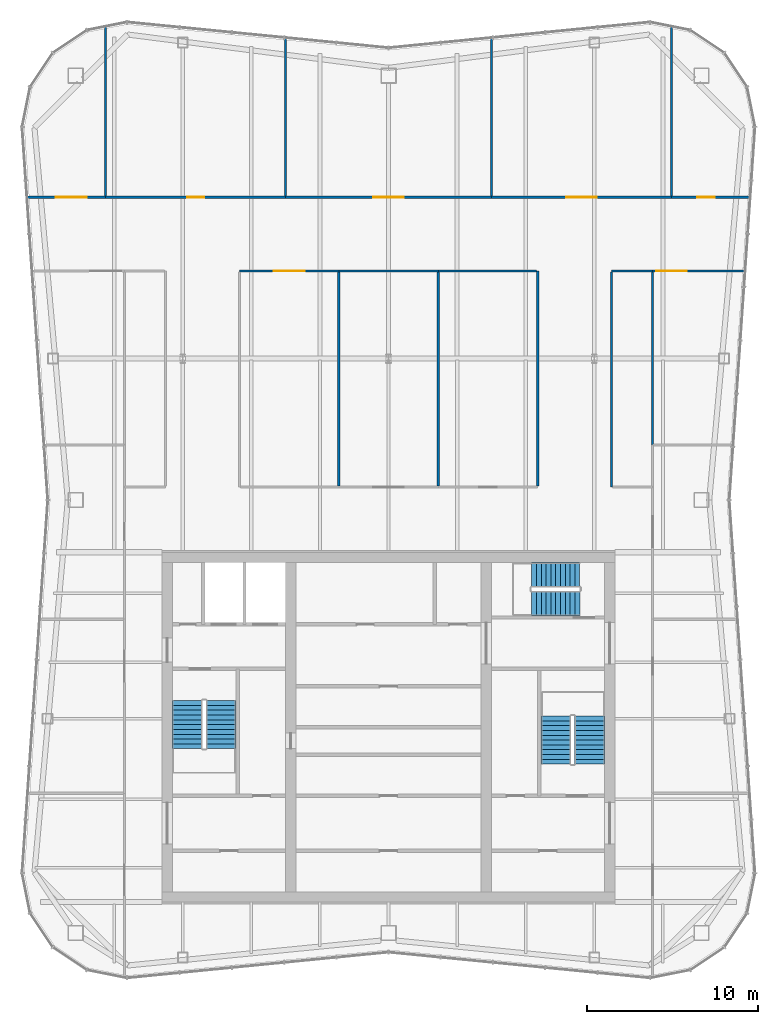
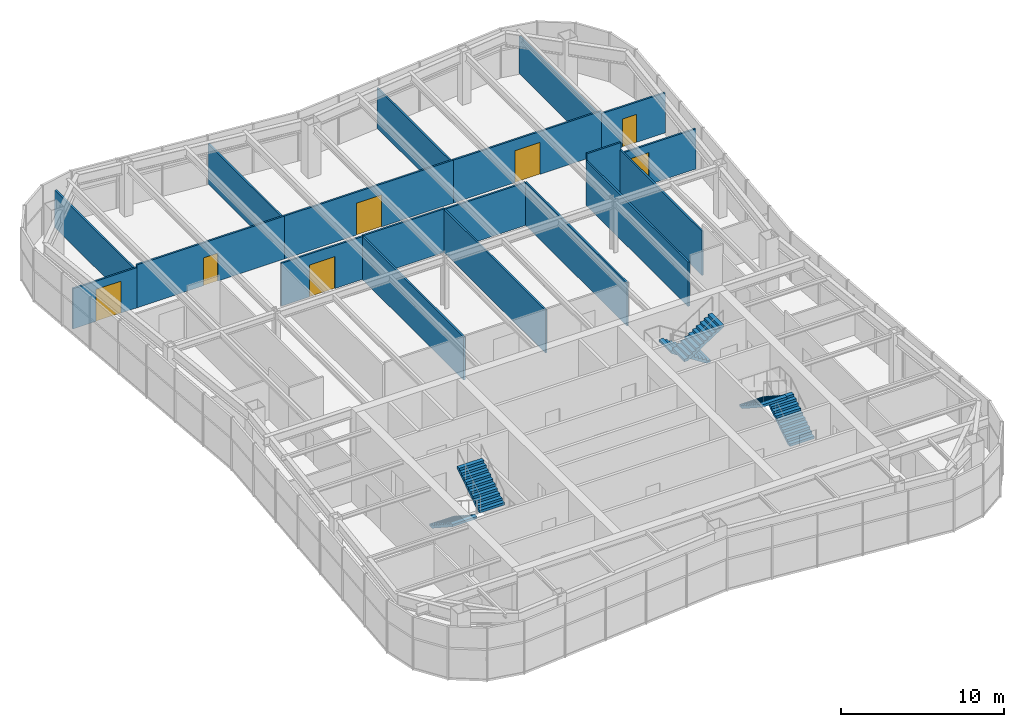
# One storey, part 11 of 13: 19 walls, 7 doors, 6 stair flights, 7 openings, 3 elements without a shape of their own.
"""IFC4 building model written with IfcOpenShell, lengths in metres."""

import ifcopenshell
import ifcopenshell.guid

model = None  # the IFC model being written
_history = None  # IfcOwnerHistory: only IFC2X3 demands one
_inside = {}  # id of a spatial element -> (the spatial element, [elements in it])
_under = {}  # id of a project, library or spatial element -> (it, [spatial elements below it])
_declared = {}  # id of a project -> (the project, [libraries it declares])
_typed = {}  # id of a type object -> (the type object, [elements of that type])
_made_of = {}  # id of a material, layer set ... -> (it, [elements and type objects made of it])


def new_model(schema):
    """Start an empty IFC model of exactly this schema.

    Asked for "IFC4X3", IfcOpenShell would pick the latest addendum, in which some entities
    have other attributes; the version numbers below select the first issue.
    IFC2X3 requires an IfcOwnerHistory on every rooted entity: one is made here for all.
    """
    global model, _history
    if schema == "IFC4X3":
        model = ifcopenshell.file(schema_version=(4, 3, 0, 0))
    else:
        model = ifcopenshell.file(schema=schema)
    _inside.clear()
    _under.clear()
    _declared.clear()
    _typed.clear()
    _made_of.clear()
    _history = None
    if model.schema == "IFC2X3":
        org = make("IfcOrganization", Name="unknown")
        user = make(
            "IfcPersonAndOrganization",
            ThePerson=make("IfcPerson", FamilyName="unknown"),
            TheOrganization=org,
        )
        app = make(
            "IfcApplication",
            ApplicationDeveloper=org,
            Version="unknown",
            ApplicationFullName="unknown",
            ApplicationIdentifier="unknown",
        )
        _history = make(
            "IfcOwnerHistory",
            OwningUser=user,
            OwningApplication=app,
            ChangeAction="ADDED",
            CreationDate=0,
        )
    return model


def make(cls, **values):
    """One entity of the class cls with the attributes given. An attribute that is None is left unset."""
    return model.create_entity(
        cls, **{name: value for name, value in values.items() if value is not None}
    )


def rooted(cls, **values):
    """An entity with a GlobalId (a new one), such as an element, a storey or a relation."""
    return make(cls, GlobalId=ifcopenshell.guid.new(), OwnerHistory=_history, **values)


def si_unit(unit_type, name, prefix=None):
    """IfcSIUnit, for example si_unit("LENGTHUNIT", "METRE", prefix="MILLI")."""
    return make("IfcSIUnit", UnitType=unit_type, Prefix=prefix, Name=name)


def assignment(units):
    """IfcUnitAssignment: the units of a project."""
    return None if units is None else make("IfcUnitAssignment", Units=units)


def point(xyz):
    """IfcCartesianPoint."""
    return None if xyz is None else make("IfcCartesianPoint", Coordinates=xyz)


def direction(xyz):
    """IfcDirection."""
    return None if xyz is None else make("IfcDirection", DirectionRatios=xyz)


def frame(location, z_axis=None, x_axis=None):
    """IfcAxis2Placement3D, a coordinate frame: its origin and axes. An axis left out is left unset."""
    return make(
        "IfcAxis2Placement3D",
        Location=point(location),
        Axis=direction(z_axis),
        RefDirection=direction(x_axis),
    )


def frame_2d(location, x_axis=None):
    """IfcAxis2Placement2D, a coordinate frame in the plane: its origin and x axis."""
    return make(
        "IfcAxis2Placement2D", Location=point(location), RefDirection=direction(x_axis)
    )


def origin():
    """The frame at (0, 0, 0) with its axes left unset."""
    return frame((0.0, 0.0, 0.0))


def place(relative_to, where):
    """IfcLocalPlacement: puts the frame where relative to a parent placement (None: the world)."""
    return make(
        "IfcLocalPlacement", PlacementRelTo=relative_to, RelativePlacement=where
    )


def context(
    kind, dimensions, precision=None, world=None, true_north=None, identifier=None
):
    """IfcGeometricRepresentationContext, for example the 3D "Model" context."""
    return make(
        "IfcGeometricRepresentationContext",
        ContextIdentifier=identifier,
        ContextType=kind,
        CoordinateSpaceDimension=dimensions,
        Precision=precision,
        WorldCoordinateSystem=world,
        TrueNorth=true_north,
    )


def subcontext(parent, identifier, kind, view, scale=None):
    """IfcGeometricRepresentationSubContext, for example "Body" below "Model"."""
    return make(
        "IfcGeometricRepresentationSubContext",
        ContextIdentifier=identifier,
        ContextType=kind,
        ParentContext=parent,
        TargetScale=scale,
        TargetView=view,
    )


def project(units=None, contexts=None):
    """IfcProject with its units and contexts."""
    return rooted(
        "IfcProject",
        Name="project",
        RepresentationContexts=contexts,
        UnitsInContext=assignment(units),
    )


def spatial(cls, under=None, at=None, **own):
    """A site, building, storey or space (cls), placed at a placement, below another one or the project."""
    s = rooted(cls, ObjectPlacement=at, **own)
    if under is not None:
        _under.setdefault(under.id(), (under, []))[1].append(s)
    return s


def polyline(points):
    """IfcPolyline through the points."""
    return make("IfcPolyline", Points=[point(p) for p in points])


def profile(cls, at=None, kind="AREA", **sizes):
    """A parametric profile (cls). Its sizes go by their IFC names, for example OverallWidth=200.0."""
    return make(cls, ProfileType=kind, Position=at, **sizes)


def rectangle(**sizes):
    """IfcRectangleProfileDef."""
    return profile("IfcRectangleProfileDef", **sizes)


def outline(outer, holes=None, kind="AREA"):
    """IfcArbitraryClosedProfileDef: a profile drawn as a closed curve; with holes, ...WithVoids."""
    if holes is None:
        return make("IfcArbitraryClosedProfileDef", ProfileType=kind, OuterCurve=outer)
    return make(
        "IfcArbitraryProfileDefWithVoids",
        ProfileType=kind,
        OuterCurve=outer,
        InnerCurves=holes,
    )


def extrude(swept, where, along, depth):
    """IfcExtrudedAreaSolid: the profile swept, set in the frame where, extruded along a direction by depth."""
    return make(
        "IfcExtrudedAreaSolid",
        SweptArea=swept,
        Position=where,
        ExtrudedDirection=direction(along),
        Depth=depth,
    )


def shape(context_of_items, identifier, shape_type, items):
    """IfcShapeRepresentation: the items that make up one representation, for example the "Body"."""
    return make(
        "IfcShapeRepresentation",
        ContextOfItems=context_of_items,
        RepresentationIdentifier=identifier,
        RepresentationType=shape_type,
        Items=items,
    )


def material(Name=None, Category=None):
    """IfcMaterial."""
    return make("IfcMaterial", Name=Name, Category=Category)


def layer(
    of_material, thickness, ventilated=None, Name=None, Category=None, Priority=None
):
    """IfcMaterialLayer: one layer of a wall or slab, of a material (None: an air gap)."""
    return make(
        "IfcMaterialLayer",
        Material=of_material,
        LayerThickness=thickness,
        IsVentilated=ventilated,
        Name=Name,
        Category=Category,
        Priority=Priority,
    )


def layer_set(layers, Name=None):
    """IfcMaterialLayerSet."""
    return make("IfcMaterialLayerSet", MaterialLayers=layers, LayerSetName=Name)


def made_of(thing, what):
    """Note that an element or type object is made of a material, layer set ...; save() writes the relation."""
    if what is not None:
        _made_of.setdefault(what.id(), (what, []))[1].append(thing)
    return thing


def type_object(cls, material=None, **own):
    """A type object (cls), such as IfcWallType, which elements share."""
    return made_of(rooted(cls, **own), material)


def element(
    cls,
    number,
    at=None,
    inside=None,
    cuts=None,
    type_object=None,
    material=None,
    context=None,
    identifier="Body",
    shape_type=None,
    held_by="IfcProductDefinitionShape",
    body=None,
    shapes=None,
    **own,
):
    """One element of the class cls, such as IfcWall. Its Tag is "e" and its number.

    at: its placement. inside: the storey or other place that contains it. cuts: it is an
    opening in that element (IfcRelVoidsElement). A single representation is given by context,
    identifier, shape_type and body (its items); several are given by shapes. held_by: the class
    of the entity that holds the representations. save() writes the other relations.
    """
    e = rooted(cls, Tag="e%d" % number, ObjectPlacement=at, **own)
    if body is not None:
        shapes = [shape(context, identifier, shape_type, body)]
    if shapes is not None:
        e.Representation = make(held_by, Representations=shapes)
    if inside is not None:
        _inside.setdefault(inside.id(), (inside, []))[1].append(e)
    if cuts is not None:
        rooted(
            "IfcRelVoidsElement", RelatingBuildingElement=cuts, RelatedOpeningElement=e
        )
    if type_object is not None:
        _typed.setdefault(type_object.id(), (type_object, []))[1].append(e)
    return made_of(e, material)


def fill(opening, filler):
    """IfcRelFillsElement: the door or window that sits in an opening."""
    return rooted(
        "IfcRelFillsElement",
        RelatingOpeningElement=opening,
        RelatedBuildingElement=filler,
    )


def aggregate(whole, parts):
    """IfcRelAggregates: a whole, such as a stair, and the parts it consists of."""
    return rooted("IfcRelAggregates", RelatingObject=whole, RelatedObjects=parts)


def save(model, path):
    """Write the relations noted so far, then the file.

    IfcRelAggregates (storeys below a building ...), IfcRelContainedInSpatialStructure (elements
    in a storey), IfcRelDefinesByType, IfcRelAssociatesMaterial and IfcRelDeclares: one each for
    every whole, place, type object, material and project.
    """
    for whole, parts in _under.values():
        aggregate(whole, parts)
    for where, things in _inside.values():
        rooted(
            "IfcRelContainedInSpatialStructure",
            RelatedElements=things,
            RelatingStructure=where,
        )
    for kind, things in _typed.values():
        rooted("IfcRelDefinesByType", RelatedObjects=things, RelatingType=kind)
    for what, things in _made_of.values():
        rooted("IfcRelAssociatesMaterial", RelatedObjects=things, RelatingMaterial=what)
    for by, libraries in _declared.values():
        rooted("IfcRelDeclares", RelatingContext=by, RelatedDefinitions=libraries)
    model.write(path)


model = new_model("IFC4")

# Units and contexts
model_context = context("Model", 3, precision=1e-05, world=origin(), true_north=direction((0.0, 1.0)))
body_context = subcontext(model_context, "Body", "Model", "MODEL_VIEW")
ifc_project = project(units=[si_unit("LENGTHUNIT", "METRE"), si_unit("AREAUNIT", "SQUARE_METRE"), si_unit("VOLUMEUNIT", "CUBIC_METRE"), si_unit("PLANEANGLEUNIT", "RADIAN"), si_unit("MASSUNIT", "GRAM", prefix="KILO")], contexts=[model_context])

# Site, building, storey
site_placement = place(None, origin())
site = spatial("IfcSite", under=ifc_project, at=site_placement, CompositionType="ELEMENT")
building_placement = place(site_placement, origin())
building = spatial("IfcBuilding", under=site, at=building_placement, Name="Verdant Reach Tower", CompositionType="ELEMENT")
storey_placement = place(building_placement, frame((0.0, 0.0, 364.0)))
storey = spatial("IfcBuildingStorey", under=building, at=storey_placement, Name="L82 Plant", CompositionType="ELEMENT", Elevation=364.0)

# Wall, opening, door
ifc_material_1 = material(Name="Gypsum board on steel studs, fire rated", Category="steel")
ifc_layer = layer(ifc_material_1, 0.125)
ifc_layer_set = layer_set([ifc_layer], Name="SV-W2 Plant wall 125 EI 60")
wall_type = type_object("IfcWallType", Name="SV-W2 Plant wall 125 EI 60", PredefinedType="PARTITIONING", material=ifc_layer_set)
wall_1_placement = place(storey_placement, frame((-2.89990234375, 54.60009765625, 0.0), z_axis=(0.0, 0.0, 1.0), x_axis=(-1.0, 0.0, 0.0)))
wall_1 = element("IfcWall", 1, at=wall_1_placement, inside=storey, type_object=wall_type, Name="Partition L82.01", PredefinedType="PARTITIONING", context=body_context, shape_type="SweptSolid", body=[
    extrude(rectangle(XDim=5.800048828125, YDim=0.125, at=frame_2d((2.89990234375, 0.0))), origin(), (0.0, 0.0, 1.0), 3.219970703125),
])
opening_1_placement = place(wall_1_placement, frame((2.0, 0.0, 0.0)))
opening_1 = element("IfcOpeningElement", 2, at=opening_1_placement, cuts=wall_1, Name="Opening SD3", PredefinedType="OPENING", context=body_context, shape_type="SweptSolid", body=[
    extrude(rectangle(XDim=1.800048828125, YDim=2.39990234375, at=frame_2d((0.89990234375, 1.199951171875))), frame((0.0, 0.072509765625, 0.0), z_axis=(0.0, -1.0, 0.0), x_axis=(1.0, 0.0, 0.0)), (0.0, 0.0, 1.0), 0.14501953125),
])
ifc_material_2 = material(Name="Steel door leaves, fire rated", Category="steel")
door_type_1 = type_object("IfcDoorType", Name="SV-D3 Equipment door 1800x2400 FD60", OperationType="DOUBLE_DOOR_SINGLE_SWING", PredefinedType="DOOR", material=ifc_material_2)
door_1_placement = place(opening_1_placement, origin())
door_1 = element("IfcDoor", 3, at=door_1_placement, inside=storey, type_object=door_type_1, Name="Door L82-001", OperationType="DOUBLE_DOOR_SINGLE_SWING", OverallHeight=2.39990234375, OverallWidth=1.800048828125, PredefinedType="DOOR", context=body_context, shape_type="SweptSolid", body=[
    extrude(rectangle(XDim=1.800048828125, YDim=2.39990234375, at=frame_2d((0.89990234375, 1.199951171875))), frame((0.0, 0.02490234375, 0.0), z_axis=(0.0, -1.0, 0.0), x_axis=(1.0, 0.0, 0.0)), (0.0, 0.0, 1.0), 0.050048828125),
])
fill(opening_1, door_1)

# Walls
wall_2_placement = place(storey_placement, frame((2.89990234375, 54.60009765625, 0.0), z_axis=(0.0, 0.0, 1.0), x_axis=(-1.0, 0.0, 0.0)))
element("IfcWall", 4, at=wall_2_placement, inside=storey, type_object=wall_type, Name="Partition L82.05", PredefinedType="PARTITIONING", context=body_context, shape_type="SweptSolid", body=[
    extrude(rectangle(XDim=5.7998046875, YDim=0.125, at=frame_2d((2.89990234375, 0.0))), origin(), (0.0, 0.0, 1.0), 3.27001953125),
])
wall_3_placement = place(storey_placement, frame((8.699951171875, 42.0625, 0.0), z_axis=(0.0, 0.0, 1.0), x_axis=(0.0, 1.0, 0.0)))
element("IfcWall", 5, at=wall_3_placement, inside=storey, type_object=wall_type, Name="Partition L82.07", PredefinedType="PARTITIONING", context=body_context, shape_type="SweptSolid", body=[
    extrude(rectangle(XDim=12.53759765625, YDim=0.125, at=frame_2d((6.268798828125, 0.0))), origin(), (0.0, 0.0, 1.0), 3.219970703125),
])
wall_4_placement = place(storey_placement, frame((8.637451171875, 54.60009765625, 0.0), z_axis=(0.0, 0.0, 1.0), x_axis=(-1.0, 0.0, 0.0)))
element("IfcWall", 6, at=wall_4_placement, inside=storey, type_object=wall_type, Name="Partition L82.08", PredefinedType="PARTITIONING", context=body_context, shape_type="SweptSolid", body=[
    extrude(rectangle(XDim=5.737548828125, YDim=0.125, at=frame_2d((2.86865234375, 0.0))), origin(), (0.0, 0.0, 1.0), 3.219970703125),
])

# Wall, opening, door
wall_5_placement = place(storey_placement, frame((20.750732421875, 54.60009765625, 0.0), z_axis=(0.0, 0.0, 1.0), x_axis=(-1.0, 0.0, 0.0)))
wall_5 = element("IfcWall", 7, at=wall_5_placement, inside=storey, type_object=wall_type, Name="Partition L82.16", PredefinedType="PARTITIONING", context=body_context, shape_type="SweptSolid", body=[
    extrude(rectangle(XDim=5.350830078125, YDim=0.125, at=frame_2d((2.67529296875, 0.0))), origin(), (0.0, 0.0, 1.0), 3.02001953125),
])
opening_2_placement = place(wall_5_placement, frame((3.3505859375, 0.0, 0.0)))
opening_2 = element("IfcOpeningElement", 8, at=opening_2_placement, cuts=wall_5, Name="Opening SD3", PredefinedType="OPENING", context=body_context, shape_type="SweptSolid", body=[
    extrude(rectangle(XDim=1.800048828125, YDim=2.39990234375, at=frame_2d((0.89990234375, 1.199951171875))), frame((0.0, 0.072509765625, 0.0), z_axis=(0.0, -1.0, 0.0), x_axis=(1.0, 0.0, 0.0)), (0.0, 0.0, 1.0), 0.14501953125),
])
door_2_placement = place(opening_2_placement, origin())
door_2 = element("IfcDoor", 9, at=door_2_placement, inside=storey, type_object=door_type_1, Name="Door L82-011", OperationType="DOUBLE_DOOR_SINGLE_SWING", OverallHeight=2.39990234375, OverallWidth=1.800048828125, PredefinedType="DOOR", context=body_context, shape_type="SweptSolid", body=[
    extrude(rectangle(XDim=1.800048828125, YDim=2.39990234375, at=frame_2d((0.89990234375, 1.199951171875))), frame((0.0, 0.02490234375, 0.0), z_axis=(0.0, -1.0, 0.0), x_axis=(1.0, 0.0, 0.0)), (0.0, 0.0, 1.0), 0.050048828125),
])
fill(opening_2, door_2)

wall_6_placement = place(storey_placement, frame((-16.5, 58.89990234375, 0.0), z_axis=(0.0, 0.0, 1.0), x_axis=(-1.0, 0.0, 0.0)))
wall_6 = element("IfcWall", 10, at=wall_6_placement, inside=storey, type_object=wall_type, Name="Partition L82.17", PredefinedType="PARTITIONING", context=body_context, shape_type="SweptSolid", body=[
    extrude(rectangle(XDim=4.547119140625, YDim=0.125, at=frame_2d((2.2734375, 0.0))), origin(), (0.0, 0.0, 1.0), 3.02001953125),
])
opening_3_placement = place(wall_6_placement, frame((1.10791015625, 0.0, 0.0)))
opening_3 = element("IfcOpeningElement", 11, at=opening_3_placement, cuts=wall_6, Name="Opening SD3", PredefinedType="OPENING", context=body_context, shape_type="SweptSolid", body=[
    extrude(rectangle(XDim=1.800048828125, YDim=2.39990234375, at=frame_2d((0.89990234375, 1.199951171875))), frame((0.0, 0.072509765625, 0.0), z_axis=(0.0, -1.0, 0.0), x_axis=(1.0, 0.0, 0.0)), (0.0, 0.0, 1.0), 0.14501953125),
])
door_3_placement = place(opening_3_placement, origin())
door_3 = element("IfcDoor", 12, at=door_3_placement, inside=storey, type_object=door_type_1, Name="Door L82-012", OperationType="DOUBLE_DOOR_SINGLE_SWING", OverallHeight=2.39990234375, OverallWidth=1.800048828125, PredefinedType="DOOR", context=body_context, shape_type="SweptSolid", body=[
    extrude(rectangle(XDim=1.800048828125, YDim=2.39990234375, at=frame_2d((0.89990234375, 1.199951171875))), frame((0.0, 0.02490234375, 0.0), z_axis=(0.0, -1.0, 0.0), x_axis=(1.0, 0.0, 0.0)), (0.0, 0.0, 1.0), 0.050048828125),
])
fill(opening_3, door_3)

wall_7_placement = place(storey_placement, frame((-6.0, 58.89990234375, 0.0), z_axis=(0.0, 0.0, 1.0), x_axis=(-1.0, 0.0, 0.0)))
wall_7 = element("IfcWall", 13, at=wall_7_placement, inside=storey, type_object=wall_type, Name="Partition L82.18", PredefinedType="PARTITIONING", context=body_context, shape_type="SweptSolid", body=[
    extrude(rectangle(XDim=10.5, YDim=0.125, at=frame_2d((5.25, 0.0))), origin(), (0.0, 0.0, 1.0), 3.219970703125),
])
opening_4_placement = place(wall_7_placement, frame((4.75, 0.0, 0.0)))
opening_4 = element("IfcOpeningElement", 14, at=opening_4_placement, cuts=wall_7, Name="Opening SD4", PredefinedType="OPENING", context=body_context, shape_type="SweptSolid", body=[
    extrude(rectangle(XDim=1.0, YDim=2.10009765625, at=frame_2d((0.5, 1.050048828125))), frame((0.0, 0.072509765625, 0.0), z_axis=(0.0, -1.0, 0.0), x_axis=(1.0, 0.0, 0.0)), (0.0, 0.0, 1.0), 0.14501953125),
])
ifc_material_3 = material(Name="Steel door leaf, fire rated", Category="steel")
door_type_2 = type_object("IfcDoorType", Name="SV-D4 Door 1000x2100 FD120", OperationType="NOTDEFINED", PredefinedType="DOOR", material=ifc_material_3)
door_4_placement = place(opening_4_placement, origin())
door_4 = element("IfcDoor", 15, at=door_4_placement, inside=storey, type_object=door_type_2, Name="Door L82-013", OperationType="SINGLE_SWING_LEFT", OverallHeight=2.10009765625, OverallWidth=1.0, PredefinedType="DOOR", context=body_context, shape_type="SweptSolid", body=[
    extrude(rectangle(XDim=1.0, YDim=2.10009765625, at=frame_2d((0.5, 1.050048828125))), frame((0.0, 0.02490234375, 0.0), z_axis=(0.0, -1.0, 0.0), x_axis=(1.0, 0.0, 0.0)), (0.0, 0.0, 1.0), 0.050048828125),
])
fill(opening_4, door_4)

wall_8_placement = place(storey_placement, frame((6.0, 58.89990234375, 0.0), z_axis=(0.0, 0.0, 1.0), x_axis=(-1.0, 0.0, 0.0)))
wall_8 = element("IfcWall", 16, at=wall_8_placement, inside=storey, type_object=wall_type, Name="Partition L82.19", PredefinedType="PARTITIONING", context=body_context, shape_type="SweptSolid", body=[
    extrude(rectangle(XDim=12.0, YDim=0.125, at=frame_2d((6.0, 0.0))), origin(), (0.0, 0.0, 1.0), 3.219970703125),
])
opening_5_placement = place(wall_8_placement, frame((5.10009765625, 0.0, 0.0)))
opening_5 = element("IfcOpeningElement", 17, at=opening_5_placement, cuts=wall_8, Name="Opening SD3", PredefinedType="OPENING", context=body_context, shape_type="SweptSolid", body=[
    extrude(rectangle(XDim=1.800048828125, YDim=2.39990234375, at=frame_2d((0.89990234375, 1.199951171875))), frame((0.0, 0.072509765625, 0.0), z_axis=(0.0, -1.0, 0.0), x_axis=(1.0, 0.0, 0.0)), (0.0, 0.0, 1.0), 0.14501953125),
])
door_5_placement = place(opening_5_placement, origin())
door_5 = element("IfcDoor", 18, at=door_5_placement, inside=storey, type_object=door_type_1, Name="Door L82-014", OperationType="DOUBLE_DOOR_SINGLE_SWING", OverallHeight=2.39990234375, OverallWidth=1.800048828125, PredefinedType="DOOR", context=body_context, shape_type="SweptSolid", body=[
    extrude(rectangle(XDim=1.800048828125, YDim=2.39990234375, at=frame_2d((0.89990234375, 1.199951171875))), frame((0.0, 0.02490234375, 0.0), z_axis=(0.0, -1.0, 0.0), x_axis=(1.0, 0.0, 0.0)), (0.0, 0.0, 1.0), 0.050048828125),
])
fill(opening_5, door_5)

wall_9_placement = place(storey_placement, frame((16.5, 58.89990234375, 0.0), z_axis=(0.0, 0.0, 1.0), x_axis=(-1.0, 0.0, 0.0)))
wall_9 = element("IfcWall", 19, at=wall_9_placement, inside=storey, type_object=wall_type, Name="Partition L82.20", PredefinedType="PARTITIONING", context=body_context, shape_type="SweptSolid", body=[
    extrude(rectangle(XDim=10.5, YDim=0.125, at=frame_2d((5.25, 0.0))), origin(), (0.0, 0.0, 1.0), 3.219970703125),
])
opening_6_placement = place(wall_9_placement, frame((4.35009765625, 0.0, 0.0)))
opening_6 = element("IfcOpeningElement", 20, at=opening_6_placement, cuts=wall_9, Name="Opening SD3", PredefinedType="OPENING", context=body_context, shape_type="SweptSolid", body=[
    extrude(rectangle(XDim=1.800048828125, YDim=2.39990234375, at=frame_2d((0.89990234375, 1.199951171875))), frame((0.0, 0.072509765625, 0.0), z_axis=(0.0, -1.0, 0.0), x_axis=(1.0, 0.0, 0.0)), (0.0, 0.0, 1.0), 0.14501953125),
])
door_6_placement = place(opening_6_placement, origin())
door_6 = element("IfcDoor", 21, at=door_6_placement, inside=storey, type_object=door_type_1, Name="Door L82-015", OperationType="DOUBLE_DOOR_SINGLE_SWING", OverallHeight=2.39990234375, OverallWidth=1.800048828125, PredefinedType="DOOR", context=body_context, shape_type="SweptSolid", body=[
    extrude(rectangle(XDim=1.800048828125, YDim=2.39990234375, at=frame_2d((0.89990234375, 1.199951171875))), frame((0.0, 0.02490234375, 0.0), z_axis=(0.0, -1.0, 0.0), x_axis=(1.0, 0.0, 0.0)), (0.0, 0.0, 1.0), 0.050048828125),
])
fill(opening_6, door_6)

wall_10_placement = place(storey_placement, frame((21.047119140625, 58.89990234375, 0.0), z_axis=(0.0, 0.0, 1.0), x_axis=(-1.0, 0.0, 0.0)))
wall_10 = element("IfcWall", 22, at=wall_10_placement, inside=storey, type_object=wall_type, Name="Partition L82.21", PredefinedType="PARTITIONING", context=body_context, shape_type="SweptSolid", body=[
    extrude(rectangle(XDim=4.547119140625, YDim=0.125, at=frame_2d((2.2734375, 0.0))), origin(), (0.0, 0.0, 1.0), 3.02001953125),
])
opening_7_placement = place(wall_10_placement, frame((2.039306640625, 0.0, 0.0)))
opening_7 = element("IfcOpeningElement", 23, at=opening_7_placement, cuts=wall_10, Name="Opening SD2", PredefinedType="OPENING", context=body_context, shape_type="SweptSolid", body=[
    extrude(rectangle(XDim=1.0, YDim=2.10009765625, at=frame_2d((0.5, 1.050048828125))), frame((0.0, 0.072509765625, 0.0), z_axis=(0.0, -1.0, 0.0), x_axis=(1.0, 0.0, 0.0)), (0.0, 0.0, 1.0), 0.14501953125),
])
door_type_3 = type_object("IfcDoorType", Name="SV-D2 Door 1000x2100 FD60", OperationType="NOTDEFINED", PredefinedType="DOOR", material=ifc_material_3)
door_7_placement = place(opening_7_placement, origin())
door_7 = element("IfcDoor", 24, at=door_7_placement, inside=storey, type_object=door_type_3, Name="Door L82-016", OperationType="SINGLE_SWING_RIGHT", OverallHeight=2.10009765625, OverallWidth=1.0, PredefinedType="DOOR", context=body_context, shape_type="SweptSolid", body=[
    extrude(rectangle(XDim=1.0, YDim=2.10009765625, at=frame_2d((0.5, 1.050048828125))), frame((0.0, 0.02490234375, 0.0), z_axis=(0.0, -1.0, 0.0), x_axis=(1.0, 0.0, 0.0)), (0.0, 0.0, 1.0), 0.050048828125),
])
fill(opening_7, door_7)

# Walls
for number, where, z_axis, x_axis, name in (
    (25, (-2.89990234375, 54.53759765625, 0.0), (0.0, 0.0, 1.0), (0.0, -1.0, 0.0), "Partition L82.22"),
    (26, (2.89990234375, 54.53759765625, 0.0), (0.0, 0.0, 1.0), (0.0, -1.0, 0.0), "Partition L82.23"),
):
    element("IfcWall", number, at=place(storey_placement, frame(where, z_axis=z_axis, x_axis=x_axis)), inside=storey, type_object=wall_type, Name=name, PredefinedType="PARTITIONING", context=body_context, shape_type="SweptSolid", body=[
        extrude(rectangle(XDim=12.47509765625, YDim=0.125, at=frame_2d((6.237548828125, 0.0))), origin(), (0.0, 0.0, 1.0), 3.219970703125),
    ])
wall_11_placement = place(storey_placement, frame((-16.5, 68.831298828125, 0.0), z_axis=(0.0, 0.0, 1.0), x_axis=(0.0, -1.0, 0.0)))
element("IfcWall", 27, at=wall_11_placement, inside=storey, type_object=wall_type, Name="Partition L82.30", PredefinedType="PARTITIONING", context=body_context, shape_type="SweptSolid", body=[
    extrude(rectangle(XDim=9.868896484375, YDim=0.125, at=frame_2d((4.9345703125, 0.0))), origin(), (0.0, 0.0, 1.0), 2.81201171875),
])
for number, where, z_axis, x_axis, name in (
    (28, (-6.0, 68.170166015625, 0.0), (0.0, 0.0, 1.0), (0.0, -1.0, 0.0), "Partition L82.31"),
    (29, (6.0, 68.170166015625, 0.0), (0.0, 0.0, 1.0), (0.0, -1.0, 0.0), "Partition L82.32"),
):
    element("IfcWall", number, at=place(storey_placement, frame(where, z_axis=z_axis, x_axis=x_axis)), inside=storey, type_object=wall_type, Name=name, PredefinedType="PARTITIONING", context=body_context, shape_type="SweptSolid", body=[
        extrude(rectangle(XDim=9.207763671875, YDim=0.125, at=frame_2d((4.60400390625, 0.0))), origin(), (0.0, 0.0, 1.0), 3.02001953125),
    ])
wall_12_placement = place(storey_placement, frame((16.5, 68.831298828125, 0.0), z_axis=(0.0, 0.0, 1.0), x_axis=(0.0, -1.0, 0.0)))
element("IfcWall", 30, at=wall_12_placement, inside=storey, type_object=wall_type, Name="Partition L82.33", PredefinedType="PARTITIONING", context=body_context, shape_type="SweptSolid", body=[
    extrude(rectangle(XDim=9.868896484375, YDim=0.125, at=frame_2d((4.9345703125, 0.0))), origin(), (0.0, 0.0, 1.0), 2.81201171875),
])
wall_13_placement = place(storey_placement, frame((15.39794921875, 54.60009765625, 0.0), z_axis=(0.0, 0.0, 1.0), x_axis=(-1.0, 0.0, 0.0)))
element("IfcWall", 31, at=wall_13_placement, inside=storey, type_object=wall_type, Name="Partition L82.39", PredefinedType="PARTITIONING", context=body_context, shape_type="SweptSolid", body=[
    extrude(rectangle(XDim=2.39794921875, YDim=0.125, at=frame_2d((1.198974609375, 0.0))), origin(), (0.0, 0.0, 1.0), 3.85009765625),
])
wall_14_placement = place(storey_placement, frame((13.0, 54.53759765625, 0.0), z_axis=(0.0, 0.0, 1.0), x_axis=(0.0, -1.0, 0.0)))
element("IfcWall", 32, at=wall_14_placement, inside=storey, type_object=wall_type, Name="Partition L82.40", PredefinedType="PARTITIONING", context=body_context, shape_type="SweptSolid", body=[
    extrude(rectangle(XDim=12.53759765625, YDim=0.125, at=frame_2d((6.268798828125, 0.0))), origin(), (0.0, 0.0, 1.0), 3.330078125),
])
wall_15_placement = place(storey_placement, frame((15.39990234375, 44.451904296875, 0.0), z_axis=(0.0, 0.0, 1.0), x_axis=(0.0, 1.0, 0.0)))
element("IfcWall", 33, at=wall_15_placement, inside=storey, type_object=wall_type, Name="Partition L82.45", PredefinedType="PARTITIONING", context=body_context, shape_type="SweptSolid", body=[
    extrude(rectangle(XDim=10.14599609375, YDim=0.125, at=frame_2d((5.072998046875, 0.0))), origin(), (0.0, 0.0, 1.0), 3.330078125),
])

# Stair, stair flights
ifc_material_4 = material(Name="Concrete C40/50", Category="concrete")
stair_type = type_object("IfcStairType", Name="CO-STAIR", PredefinedType="HALF_TURN_STAIR", material=ifc_material_4)
stair_1_placement = place(storey_placement, origin())
stair_1 = element("IfcStair", 34, at=stair_1_placement, inside=storey, type_object=stair_type, Name="L82 Plant Exit stair 1", PredefinedType="HALF_TURN_STAIR")
stair_flight_type = type_object("IfcStairFlightType", Name="CO-STAIR-FLIGHT", PredefinedType="STRAIGHT", material=ifc_material_4)
stair_flight_1_placement = place(storey_placement, frame((-11.72509765625, 29.550048828125, 0.0), z_axis=(0.0, 0.0, 1.0), x_axis=(0.0, -1.0, 0.0)))
stair_flight_1 = element("IfcStairFlight", 35, at=stair_flight_1_placement, type_object=stair_flight_type, Name="ST-1 flight 1", NumberOfRisers=11, NumberOfTreads=10, PredefinedType="STRAIGHT", RiserHeight=0.181818182, TreadLength=0.28, context=body_context, shape_type="SweptSolid", body=[
    extrude(outline(polyline([(0.0, 0.0), (0.0, 0.181884765625), (0.280029296875, 0.181884765625), (0.280029296875, 0.363525390625), (0.56005859375, 0.363525390625), (0.56005859375, 0.54541015625), (0.840087890625, 0.54541015625), (0.840087890625, 0.727294921875), (1.1201171875, 0.727294921875), (1.1201171875, 0.9091796875), (1.39990234375, 0.9091796875), (1.39990234375, 1.0908203125), (1.679931640625, 1.0908203125), (1.679931640625, 1.272705078125), (1.9599609375, 1.272705078125), (1.9599609375, 1.45458984375), (2.239990234375, 1.45458984375), (2.239990234375, 1.636474609375), (2.52001953125, 1.636474609375), (2.52001953125, 1.818115234375), (2.800048828125, 1.818115234375), (2.800048828125, 2.0), (2.800048828125, 1.639404296875), (0.275146484375, 0.0), (0.0, 0.0)])), frame((0.0, 0.875, 0.0), z_axis=(0.0, -1.0, 0.0), x_axis=(1.0, 0.0, 0.0)), (0.0, 0.0, 1.0), 1.75),
])
stair_flight_2_placement = place(storey_placement, frame((-9.77490234375, 26.75, 2.0), z_axis=(0.0, 0.0, 1.0), x_axis=(0.0, 1.0, 0.0)))
stair_flight_2 = element("IfcStairFlight", 36, at=stair_flight_2_placement, type_object=stair_flight_type, Name="ST-1 flight 2", NumberOfRisers=11, NumberOfTreads=10, PredefinedType="STRAIGHT", RiserHeight=0.181818182, TreadLength=0.28, context=body_context, shape_type="SweptSolid", body=[
    extrude(outline(polyline([(0.0, 0.0), (0.0, 0.181884765625), (0.280029296875, 0.181884765625), (0.280029296875, 0.363525390625), (0.56005859375, 0.363525390625), (0.56005859375, 0.54541015625), (0.840087890625, 0.54541015625), (0.840087890625, 0.727294921875), (1.1201171875, 0.727294921875), (1.1201171875, 0.9091796875), (1.39990234375, 0.9091796875), (1.39990234375, 1.0908203125), (1.679931640625, 1.0908203125), (1.679931640625, 1.272705078125), (1.9599609375, 1.272705078125), (1.9599609375, 1.45458984375), (2.239990234375, 1.45458984375), (2.239990234375, 1.636474609375), (2.52001953125, 1.636474609375), (2.52001953125, 1.818115234375), (2.800048828125, 1.818115234375), (2.800048828125, 2.0), (2.800048828125, 1.639404296875), (0.275146484375, 0.0), (0.0, 0.0)])), frame((0.0, 0.875, 0.0), z_axis=(0.0, -1.0, 0.0), x_axis=(1.0, 0.0, 0.0)), (0.0, 0.0, 1.0), 1.75),
])
aggregate(stair_1, [stair_flight_1, stair_flight_2])

stair_2_placement = place(storey_placement, origin())
stair_2 = element("IfcStair", 37, at=stair_2_placement, inside=storey, type_object=stair_type, Name="L82 Plant Exit stair 2", PredefinedType="HALF_TURN_STAIR")
stair_flight_3_placement = place(storey_placement, frame((11.72509765625, 25.85009765625, 0.0), z_axis=(0.0, 0.0, 1.0), x_axis=(0.0, 1.0, 0.0)))
stair_flight_3 = element("IfcStairFlight", 38, at=stair_flight_3_placement, type_object=stair_flight_type, Name="ST-2 flight 1", NumberOfRisers=11, NumberOfTreads=10, PredefinedType="STRAIGHT", RiserHeight=0.181818182, TreadLength=0.28, context=body_context, shape_type="SweptSolid", body=[
    extrude(outline(polyline([(0.0, 0.0), (0.0, 0.181884765625), (0.280029296875, 0.181884765625), (0.280029296875, 0.363525390625), (0.56005859375, 0.363525390625), (0.56005859375, 0.54541015625), (0.840087890625, 0.54541015625), (0.840087890625, 0.727294921875), (1.1201171875, 0.727294921875), (1.1201171875, 0.9091796875), (1.39990234375, 0.9091796875), (1.39990234375, 1.0908203125), (1.679931640625, 1.0908203125), (1.679931640625, 1.272705078125), (1.9599609375, 1.272705078125), (1.9599609375, 1.45458984375), (2.239990234375, 1.45458984375), (2.239990234375, 1.636474609375), (2.52001953125, 1.636474609375), (2.52001953125, 1.818115234375), (2.800048828125, 1.818115234375), (2.800048828125, 2.0), (2.800048828125, 1.639404296875), (0.275146484375, 0.0), (0.0, 0.0)])), frame((0.0, 0.875, 0.0), z_axis=(0.0, -1.0, 0.0), x_axis=(1.0, 0.0, 0.0)), (0.0, 0.0, 1.0), 1.75),
])
stair_flight_4_placement = place(storey_placement, frame((9.77490234375, 28.64990234375, 2.0), z_axis=(0.0, 0.0, 1.0), x_axis=(0.0, -1.0, 0.0)))
stair_flight_4 = element("IfcStairFlight", 39, at=stair_flight_4_placement, type_object=stair_flight_type, Name="ST-2 flight 2", NumberOfRisers=11, NumberOfTreads=10, PredefinedType="STRAIGHT", RiserHeight=0.181818182, TreadLength=0.28, context=body_context, shape_type="SweptSolid", body=[
    extrude(outline(polyline([(0.0, 0.0), (0.0, 0.181884765625), (0.280029296875, 0.181884765625), (0.280029296875, 0.363525390625), (0.56005859375, 0.363525390625), (0.56005859375, 0.54541015625), (0.840087890625, 0.54541015625), (0.840087890625, 0.727294921875), (1.1201171875, 0.727294921875), (1.1201171875, 0.9091796875), (1.39990234375, 0.9091796875), (1.39990234375, 1.0908203125), (1.679931640625, 1.0908203125), (1.679931640625, 1.272705078125), (1.9599609375, 1.272705078125), (1.9599609375, 1.45458984375), (2.239990234375, 1.45458984375), (2.239990234375, 1.636474609375), (2.52001953125, 1.636474609375), (2.52001953125, 1.818115234375), (2.800048828125, 1.818115234375), (2.800048828125, 2.0), (2.800048828125, 1.639404296875), (0.275146484375, 0.0), (0.0, 0.0)])), frame((0.0, 0.875, 0.0), z_axis=(0.0, -1.0, 0.0), x_axis=(1.0, 0.0, 0.0)), (0.0, 0.0, 1.0), 1.75),
])
aggregate(stair_2, [stair_flight_3, stair_flight_4])

stair_3_placement = place(storey_placement, origin())
stair_3 = element("IfcStair", 40, at=stair_3_placement, inside=storey, type_object=stair_type, Name="L82 Plant Exit stair 3", PredefinedType="HALF_TURN_STAIR")
stair_flight_5_placement = place(storey_placement, frame((11.14990234375, 36.875, 0.0), z_axis=(0.0, 0.0, 1.0), x_axis=(-1.0, 0.0, 0.0)))
stair_flight_5 = element("IfcStairFlight", 41, at=stair_flight_5_placement, type_object=stair_flight_type, Name="ST-3 flight 1", NumberOfRisers=11, NumberOfTreads=10, PredefinedType="STRAIGHT", RiserHeight=0.181818182, TreadLength=0.28, context=body_context, shape_type="SweptSolid", body=[
    extrude(outline(polyline([(0.0, 0.0), (0.0, 0.181884765625), (0.280029296875, 0.181884765625), (0.280029296875, 0.363525390625), (0.56005859375, 0.363525390625), (0.56005859375, 0.54541015625), (0.840087890625, 0.54541015625), (0.840087890625, 0.727294921875), (1.1201171875, 0.727294921875), (1.1201171875, 0.9091796875), (1.39990234375, 0.9091796875), (1.39990234375, 1.0908203125), (1.679931640625, 1.0908203125), (1.679931640625, 1.272705078125), (1.9599609375, 1.272705078125), (1.9599609375, 1.45458984375), (2.239990234375, 1.45458984375), (2.239990234375, 1.636474609375), (2.52001953125, 1.636474609375), (2.52001953125, 1.818115234375), (2.800048828125, 1.818115234375), (2.800048828125, 2.0), (2.800048828125, 1.639404296875), (0.275146484375, 0.0), (0.0, 0.0)])), frame((0.0, 0.72509765625, 0.0), z_axis=(0.0, -1.0, 0.0), x_axis=(1.0, 0.0, 0.0)), (0.0, 0.0, 1.0), 1.449951171875),
])
stair_flight_6_placement = place(storey_placement, frame((8.35009765625, 35.22509765625, 2.0), z_axis=(0.0, 0.0, 1.0), x_axis=(1.0, 0.0, 0.0)))
stair_flight_6 = element("IfcStairFlight", 42, at=stair_flight_6_placement, type_object=stair_flight_type, Name="ST-3 flight 2", NumberOfRisers=11, NumberOfTreads=10, PredefinedType="STRAIGHT", RiserHeight=0.181818182, TreadLength=0.28, context=body_context, shape_type="SweptSolid", body=[
    extrude(outline(polyline([(0.0, 0.0), (0.0, 0.181884765625), (0.280029296875, 0.181884765625), (0.280029296875, 0.363525390625), (0.56005859375, 0.363525390625), (0.56005859375, 0.54541015625), (0.840087890625, 0.54541015625), (0.840087890625, 0.727294921875), (1.1201171875, 0.727294921875), (1.1201171875, 0.9091796875), (1.39990234375, 0.9091796875), (1.39990234375, 1.0908203125), (1.679931640625, 1.0908203125), (1.679931640625, 1.272705078125), (1.9599609375, 1.272705078125), (1.9599609375, 1.45458984375), (2.239990234375, 1.45458984375), (2.239990234375, 1.636474609375), (2.52001953125, 1.636474609375), (2.52001953125, 1.818115234375), (2.800048828125, 1.818115234375), (2.800048828125, 2.0), (2.800048828125, 1.639404296875), (0.275146484375, 0.0), (0.0, 0.0)])), frame((0.0, 0.72509765625, 0.0), z_axis=(0.0, -1.0, 0.0), x_axis=(1.0, 0.0, 0.0)), (0.0, 0.0, 1.0), 1.449951171875),
])
aggregate(stair_3, [stair_flight_5, stair_flight_6])

save(model, "model.ifc")
